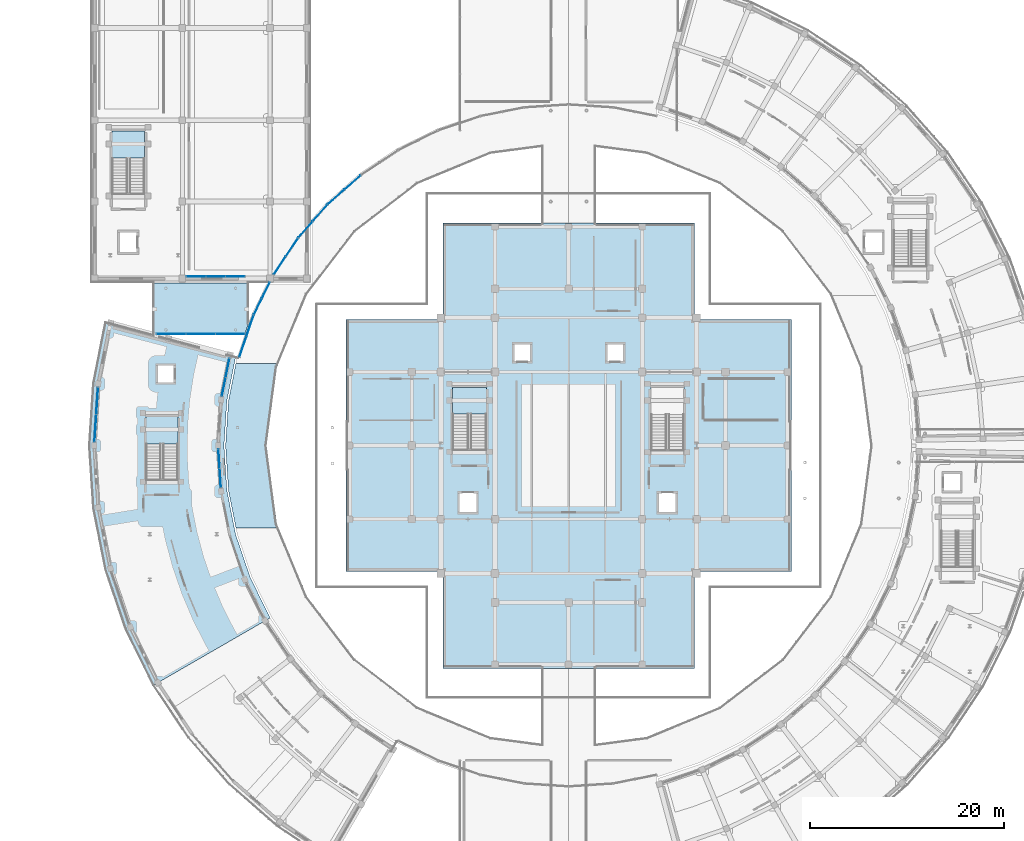
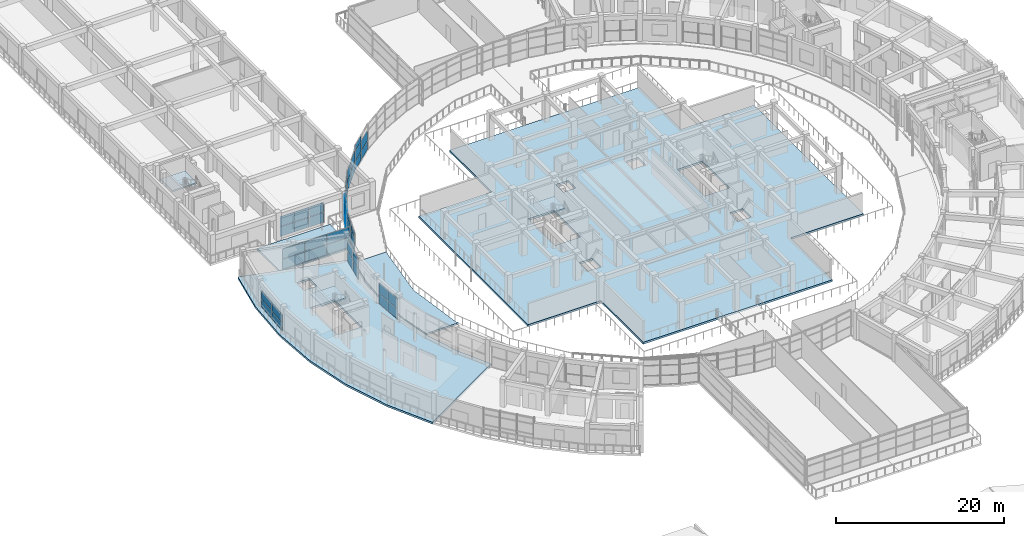
# One storey, part 47 of 83: 49 plates, 7 slabs, 13 elements without a shape of their own.
"""IFC4 building model written with IfcOpenShell, lengths in metres."""

import ifcopenshell
import ifcopenshell.guid

model = None  # the IFC model being written
_history = None  # IfcOwnerHistory: only IFC2X3 demands one
_inside = {}  # id of a spatial element -> (the spatial element, [elements in it])
_under = {}  # id of a project, library or spatial element -> (it, [spatial elements below it])
_declared = {}  # id of a project -> (the project, [libraries it declares])
_typed = {}  # id of a type object -> (the type object, [elements of that type])
_made_of = {}  # id of a material, layer set ... -> (it, [elements and type objects made of it])


def new_model(schema):
    """Start an empty IFC model of exactly this schema.

    Asked for "IFC4X3", IfcOpenShell would pick the latest addendum, in which some entities
    have other attributes; the version numbers below select the first issue.
    IFC2X3 requires an IfcOwnerHistory on every rooted entity: one is made here for all.
    """
    global model, _history
    if schema == "IFC4X3":
        model = ifcopenshell.file(schema_version=(4, 3, 0, 0))
    else:
        model = ifcopenshell.file(schema=schema)
    _inside.clear()
    _under.clear()
    _declared.clear()
    _typed.clear()
    _made_of.clear()
    _history = None
    if model.schema == "IFC2X3":
        org = make("IfcOrganization", Name="unknown")
        user = make(
            "IfcPersonAndOrganization",
            ThePerson=make("IfcPerson", FamilyName="unknown"),
            TheOrganization=org,
        )
        app = make(
            "IfcApplication",
            ApplicationDeveloper=org,
            Version="unknown",
            ApplicationFullName="unknown",
            ApplicationIdentifier="unknown",
        )
        _history = make(
            "IfcOwnerHistory",
            OwningUser=user,
            OwningApplication=app,
            ChangeAction="ADDED",
            CreationDate=0,
        )
    return model


def make(cls, **values):
    """One entity of the class cls with the attributes given. An attribute that is None is left unset."""
    return model.create_entity(
        cls, **{name: value for name, value in values.items() if value is not None}
    )


def rooted(cls, **values):
    """An entity with a GlobalId (a new one), such as an element, a storey or a relation."""
    return make(cls, GlobalId=ifcopenshell.guid.new(), OwnerHistory=_history, **values)


def si_unit(unit_type, name, prefix=None):
    """IfcSIUnit, for example si_unit("LENGTHUNIT", "METRE", prefix="MILLI")."""
    return make("IfcSIUnit", UnitType=unit_type, Prefix=prefix, Name=name)


def assignment(units):
    """IfcUnitAssignment: the units of a project."""
    return None if units is None else make("IfcUnitAssignment", Units=units)


def point(xyz):
    """IfcCartesianPoint."""
    return None if xyz is None else make("IfcCartesianPoint", Coordinates=xyz)


def direction(xyz):
    """IfcDirection."""
    return None if xyz is None else make("IfcDirection", DirectionRatios=xyz)


def frame(location, z_axis=None, x_axis=None):
    """IfcAxis2Placement3D, a coordinate frame: its origin and axes. An axis left out is left unset."""
    return make(
        "IfcAxis2Placement3D",
        Location=point(location),
        Axis=direction(z_axis),
        RefDirection=direction(x_axis),
    )


def frame_2d(location, x_axis=None):
    """IfcAxis2Placement2D, a coordinate frame in the plane: its origin and x axis."""
    return make(
        "IfcAxis2Placement2D", Location=point(location), RefDirection=direction(x_axis)
    )


def origin():
    """The frame at (0, 0, 0) with its axes left unset."""
    return frame((0.0, 0.0, 0.0))


def origin_2d():
    """The frame at (0, 0) in the plane with its x axis left unset."""
    return frame_2d((0.0, 0.0))


def place(relative_to, where):
    """IfcLocalPlacement: puts the frame where relative to a parent placement (None: the world)."""
    return make(
        "IfcLocalPlacement", PlacementRelTo=relative_to, RelativePlacement=where
    )


def context(
    kind, dimensions, precision=None, world=None, true_north=None, identifier=None
):
    """IfcGeometricRepresentationContext, for example the 3D "Model" context."""
    return make(
        "IfcGeometricRepresentationContext",
        ContextIdentifier=identifier,
        ContextType=kind,
        CoordinateSpaceDimension=dimensions,
        Precision=precision,
        WorldCoordinateSystem=world,
        TrueNorth=true_north,
    )


def subcontext(parent, identifier, kind, view, scale=None):
    """IfcGeometricRepresentationSubContext, for example "Body" below "Model"."""
    return make(
        "IfcGeometricRepresentationSubContext",
        ContextIdentifier=identifier,
        ContextType=kind,
        ParentContext=parent,
        TargetScale=scale,
        TargetView=view,
    )


def project(units=None, contexts=None):
    """IfcProject with its units and contexts."""
    return rooted(
        "IfcProject",
        Name="project",
        RepresentationContexts=contexts,
        UnitsInContext=assignment(units),
    )


def spatial(cls, under=None, at=None, **own):
    """A site, building, storey or space (cls), placed at a placement, below another one or the project."""
    s = rooted(cls, ObjectPlacement=at, **own)
    if under is not None:
        _under.setdefault(under.id(), (under, []))[1].append(s)
    return s


def polyline(points):
    """IfcPolyline through the points."""
    return make("IfcPolyline", Points=[point(p) for p in points])


def profile(cls, at=None, kind="AREA", **sizes):
    """A parametric profile (cls). Its sizes go by their IFC names, for example OverallWidth=200.0."""
    return make(cls, ProfileType=kind, Position=at, **sizes)


def rectangle(**sizes):
    """IfcRectangleProfileDef."""
    return profile("IfcRectangleProfileDef", **sizes)


def outline(outer, holes=None, kind="AREA"):
    """IfcArbitraryClosedProfileDef: a profile drawn as a closed curve; with holes, ...WithVoids."""
    if holes is None:
        return make("IfcArbitraryClosedProfileDef", ProfileType=kind, OuterCurve=outer)
    return make(
        "IfcArbitraryProfileDefWithVoids",
        ProfileType=kind,
        OuterCurve=outer,
        InnerCurves=holes,
    )


def extrude(swept, where, along, depth):
    """IfcExtrudedAreaSolid: the profile swept, set in the frame where, extruded along a direction by depth."""
    return make(
        "IfcExtrudedAreaSolid",
        SweptArea=swept,
        Position=where,
        ExtrudedDirection=direction(along),
        Depth=depth,
    )


def shape(context_of_items, identifier, shape_type, items):
    """IfcShapeRepresentation: the items that make up one representation, for example the "Body"."""
    return make(
        "IfcShapeRepresentation",
        ContextOfItems=context_of_items,
        RepresentationIdentifier=identifier,
        RepresentationType=shape_type,
        Items=items,
    )


def material(Name=None, Category=None):
    """IfcMaterial."""
    return make("IfcMaterial", Name=Name, Category=Category)


def layer(
    of_material, thickness, ventilated=None, Name=None, Category=None, Priority=None
):
    """IfcMaterialLayer: one layer of a wall or slab, of a material (None: an air gap)."""
    return make(
        "IfcMaterialLayer",
        Material=of_material,
        LayerThickness=thickness,
        IsVentilated=ventilated,
        Name=Name,
        Category=Category,
        Priority=Priority,
    )


def layer_set(layers, Name=None):
    """IfcMaterialLayerSet."""
    return make("IfcMaterialLayerSet", MaterialLayers=layers, LayerSetName=Name)


def made_of(thing, what):
    """Note that an element or type object is made of a material, layer set ...; save() writes the relation."""
    if what is not None:
        _made_of.setdefault(what.id(), (what, []))[1].append(thing)
    return thing


def type_object(cls, material=None, **own):
    """A type object (cls), such as IfcWallType, which elements share."""
    return made_of(rooted(cls, **own), material)


def element(
    cls,
    number,
    at=None,
    inside=None,
    cuts=None,
    type_object=None,
    material=None,
    context=None,
    identifier="Body",
    shape_type=None,
    held_by="IfcProductDefinitionShape",
    body=None,
    shapes=None,
    **own,
):
    """One element of the class cls, such as IfcWall. Its Tag is "e" and its number.

    at: its placement. inside: the storey or other place that contains it. cuts: it is an
    opening in that element (IfcRelVoidsElement). A single representation is given by context,
    identifier, shape_type and body (its items); several are given by shapes. held_by: the class
    of the entity that holds the representations. save() writes the other relations.
    """
    e = rooted(cls, Tag="e%d" % number, ObjectPlacement=at, **own)
    if body is not None:
        shapes = [shape(context, identifier, shape_type, body)]
    if shapes is not None:
        e.Representation = make(held_by, Representations=shapes)
    if inside is not None:
        _inside.setdefault(inside.id(), (inside, []))[1].append(e)
    if cuts is not None:
        rooted(
            "IfcRelVoidsElement", RelatingBuildingElement=cuts, RelatedOpeningElement=e
        )
    if type_object is not None:
        _typed.setdefault(type_object.id(), (type_object, []))[1].append(e)
    return made_of(e, material)


def aggregate(whole, parts):
    """IfcRelAggregates: a whole, such as a stair, and the parts it consists of."""
    return rooted("IfcRelAggregates", RelatingObject=whole, RelatedObjects=parts)


def save(model, path):
    """Write the relations noted so far, then the file.

    IfcRelAggregates (storeys below a building ...), IfcRelContainedInSpatialStructure (elements
    in a storey), IfcRelDefinesByType, IfcRelAssociatesMaterial and IfcRelDeclares: one each for
    every whole, place, type object, material and project.
    """
    for whole, parts in _under.values():
        aggregate(whole, parts)
    for where, things in _inside.values():
        rooted(
            "IfcRelContainedInSpatialStructure",
            RelatedElements=things,
            RelatingStructure=where,
        )
    for kind, things in _typed.values():
        rooted("IfcRelDefinesByType", RelatedObjects=things, RelatingType=kind)
    for what, things in _made_of.values():
        rooted("IfcRelAssociatesMaterial", RelatedObjects=things, RelatingMaterial=what)
    for by, libraries in _declared.values():
        rooted("IfcRelDeclares", RelatingContext=by, RelatedDefinitions=libraries)
    model.write(path)


model = new_model("IFC4")

# Units and contexts
model_context = context("Model", 3, precision=1e-05, world=origin(), true_north=direction((0.0, 1.0)))
body_context = subcontext(model_context, "Body", "Model", "MODEL_VIEW")
ifc_project = project(units=[si_unit("LENGTHUNIT", "METRE"), si_unit("AREAUNIT", "SQUARE_METRE"), si_unit("VOLUMEUNIT", "CUBIC_METRE"), si_unit("PLANEANGLEUNIT", "RADIAN"), si_unit("MASSUNIT", "GRAM", prefix="KILO")], contexts=[model_context])

# Site, building, storey
site_placement = place(None, origin())
site = spatial("IfcSite", under=ifc_project, at=site_placement, CompositionType="ELEMENT")
building_placement = place(site_placement, origin())
building = spatial("IfcBuilding", under=site, at=building_placement, Name="Saryqyr Civic Hall", CompositionType="ELEMENT")
storey_placement = place(building_placement, frame((0.0, 0.0, 9.14990234375)))
storey = spatial("IfcBuildingStorey", under=building, at=storey_placement, Name="L02", CompositionType="ELEMENT", Elevation=9.14990234375)

# Curtain wall, plates
ifc_material_1 = material(Name="Anodised aluminium and triple low-E glass", Category="aluminium")
curtain_wall_type_1 = type_object("IfcCurtainWallType", Name="ENV-CW-STD-21", PredefinedType="NOTDEFINED", material=ifc_material_1)
curtain_wall_1_placement = place(storey_placement, origin())
curtain_wall_1 = element("IfcCurtainWall", 1, at=curtain_wall_1_placement, inside=storey, type_object=curtain_wall_type_1, Name="Curtain wall V4-CWI-L02-00", PredefinedType="NOTDEFINED")
ifc_material_2 = material(Name="Triple low-E insulated glazing", Category="glass")
ifc_layer_1 = layer(ifc_material_2, 0.053955078125, Name="Triple low-E insulated glazing")
ifc_layer_set_1 = layer_set([ifc_layer_1], Name="Triple low-E insulated glazing")
plate_type = type_object("IfcPlateType", Name="ENV-CW-PNL-38", PredefinedType="CURTAIN_PANEL", material=ifc_layer_set_1)
plate_1_placement = place(storey_placement, frame((21.765869140625, 92.0234375, 0.06005859375), z_axis=(0.0, 0.0, 1.0), x_axis=(-0.195107360697, -0.980781891045, 0.0)))
plate_1 = element("IfcPlate", 2, at=plate_1_placement, type_object=plate_type, Name="CW-21 panel 1.1", PredefinedType="CURTAIN_PANEL", context=body_context, shape_type="SweptSolid", body=[
    extrude(rectangle(XDim=1.930908203125, YDim=0.053955078125, at=origin_2d()), origin(), (0.0, 0.0, 1.0), 1.491943359375),
])
plate_2_placement = place(storey_placement, frame((21.765869140625, 92.0234375, 1.6123046875), z_axis=(0.0, 0.0, 1.0), x_axis=(-0.195107360697, -0.980781891045, 0.0)))
plate_2 = element("IfcPlate", 3, at=plate_2_placement, type_object=plate_type, Name="CW-21 panel 1.2", PredefinedType="CURTAIN_PANEL", context=body_context, shape_type="SweptSolid", body=[
    extrude(rectangle(XDim=1.930908203125, YDim=0.053955078125, at=origin_2d()), origin(), (0.0, 0.0, 1.0), 1.492919921875),
])
plate_3_placement = place(storey_placement, frame((21.37744140625, 90.07080078125, 0.06005859375), z_axis=(0.0, 0.0, 1.0), x_axis=(-0.195107360697, -0.980781891045, 0.0)))
plate_3 = element("IfcPlate", 4, at=plate_3_placement, type_object=plate_type, Name="CW-21 panel 2.1", PredefinedType="CURTAIN_PANEL", context=body_context, shape_type="SweptSolid", body=[
    extrude(rectangle(XDim=1.930908203125, YDim=0.053955078125, at=origin_2d()), origin(), (0.0, 0.0, 1.0), 1.491943359375),
])
plate_4_placement = place(storey_placement, frame((21.37744140625, 90.07080078125, 1.6123046875), z_axis=(0.0, 0.0, 1.0), x_axis=(-0.195107360697, -0.980781891045, 0.0)))
plate_4 = element("IfcPlate", 5, at=plate_4_placement, type_object=plate_type, Name="CW-21 panel 2.2", PredefinedType="CURTAIN_PANEL", context=body_context, shape_type="SweptSolid", body=[
    extrude(rectangle(XDim=1.930908203125, YDim=0.053955078125, at=origin_2d()), origin(), (0.0, 0.0, 1.0), 1.492919921875),
])
aggregate(curtain_wall_1, [plate_1, plate_2, plate_3, plate_4])

curtain_wall_type_2 = type_object("IfcCurtainWallType", Name="ENV-CW-STD-22", PredefinedType="NOTDEFINED", material=ifc_material_1)
curtain_wall_2_placement = place(storey_placement, origin())
curtain_wall_2 = element("IfcCurtainWall", 6, at=curtain_wall_2_placement, inside=storey, type_object=curtain_wall_type_2, Name="Curtain wall V4-CWO-L02-01", PredefinedType="NOTDEFINED")
plate_5_placement = place(storey_placement, frame((8.116943359375, 85.783935546875, 0.06005859375), z_axis=(0.0, 0.0, 1.0), x_axis=(0.06539733631, 0.99785930291, 0.0)))
plate_5 = element("IfcPlate", 7, at=plate_5_placement, type_object=plate_type, Name="CW-22 panel 1.1", PredefinedType="CURTAIN_PANEL", context=body_context, shape_type="SweptSolid", body=[
    extrude(rectangle(XDim=2.77392578125, YDim=0.053955078125, at=origin_2d()), origin(), (0.0, 0.0, 1.0), 1.135009765625),
])
plate_6_placement = place(storey_placement, frame((8.116943359375, 85.783935546875, 1.2548828125), z_axis=(0.0, 0.0, 1.0), x_axis=(0.06539733631, 0.99785930291, 0.0)))
plate_6 = element("IfcPlate", 8, at=plate_6_placement, type_object=plate_type, Name="CW-22 panel 1.2", PredefinedType="CURTAIN_PANEL", context=body_context, shape_type="SweptSolid", body=[
    extrude(rectangle(XDim=2.77392578125, YDim=0.053955078125, at=origin_2d()), origin(), (0.0, 0.0, 1.0), 1.135009765625),
])
plate_7_placement = place(storey_placement, frame((8.30224609375, 88.61181640625, 0.06005859375), z_axis=(0.0, 0.0, 1.0), x_axis=(0.06539733631, 0.99785930291, 0.0)))
plate_7 = element("IfcPlate", 9, at=plate_7_placement, type_object=plate_type, Name="CW-22 panel 2.1", PredefinedType="CURTAIN_PANEL", context=body_context, shape_type="SweptSolid", body=[
    extrude(rectangle(XDim=2.77392578125, YDim=0.053955078125, at=origin_2d()), origin(), (0.0, 0.0, 1.0), 1.135009765625),
])
plate_8_placement = place(storey_placement, frame((8.30224609375, 88.61181640625, 1.2548828125), z_axis=(0.0, 0.0, 1.0), x_axis=(0.06539733631, 0.99785930291, 0.0)))
plate_8 = element("IfcPlate", 10, at=plate_8_placement, type_object=plate_type, Name="CW-22 panel 2.2", PredefinedType="CURTAIN_PANEL", context=body_context, shape_type="SweptSolid", body=[
    extrude(rectangle(XDim=2.77392578125, YDim=0.053955078125, at=origin_2d()), origin(), (0.0, 0.0, 1.0), 1.135009765625),
])
aggregate(curtain_wall_2, [plate_5, plate_6, plate_7, plate_8])

curtain_wall_3_placement = place(storey_placement, origin())
curtain_wall_3 = element("IfcCurtainWall", 11, at=curtain_wall_3_placement, inside=storey, type_object=curtain_wall_type_1, Name="Curtain wall V4-CWI-L02-02", PredefinedType="NOTDEFINED")
plate_9_placement = place(storey_placement, frame((20.8896484375, 82.6337890625, 0.06005859375), z_axis=(0.0, 0.0, 1.0), x_axis=(0.065397404214, -0.997859298459, 0.0)))
plate_9 = element("IfcPlate", 12, at=plate_9_placement, type_object=plate_type, Name="CW-21 panel 1.1", PredefinedType="CURTAIN_PANEL", context=body_context, shape_type="SweptSolid", body=[
    extrude(rectangle(XDim=1.936767578125, YDim=0.053955078125, at=origin_2d()), origin(), (0.0, 0.0, 1.0), 1.491943359375),
])
plate_10_placement = place(storey_placement, frame((20.8896484375, 82.6337890625, 1.6123046875), z_axis=(0.0, 0.0, 1.0), x_axis=(0.065397404214, -0.997859298459, 0.0)))
plate_10 = element("IfcPlate", 13, at=plate_10_placement, type_object=plate_type, Name="CW-21 panel 1.2", PredefinedType="CURTAIN_PANEL", context=body_context, shape_type="SweptSolid", body=[
    extrude(rectangle(XDim=1.936767578125, YDim=0.053955078125, at=origin_2d()), origin(), (0.0, 0.0, 1.0), 1.492919921875),
])
plate_11_placement = place(storey_placement, frame((21.020263671875, 80.64111328125, 0.06005859375), z_axis=(0.0, 0.0, 1.0), x_axis=(0.065397404214, -0.997859298459, 0.0)))
plate_11 = element("IfcPlate", 14, at=plate_11_placement, type_object=plate_type, Name="CW-21 panel 2.1", PredefinedType="CURTAIN_PANEL", context=body_context, shape_type="SweptSolid", body=[
    extrude(rectangle(XDim=1.936767578125, YDim=0.053955078125, at=origin_2d()), origin(), (0.0, 0.0, 1.0), 1.491943359375),
])
plate_12_placement = place(storey_placement, frame((21.020263671875, 80.64111328125, 1.6123046875), z_axis=(0.0, 0.0, 1.0), x_axis=(0.065397404214, -0.997859298459, 0.0)))
plate_12 = element("IfcPlate", 15, at=plate_12_placement, type_object=plate_type, Name="CW-21 panel 2.2", PredefinedType="CURTAIN_PANEL", context=body_context, shape_type="SweptSolid", body=[
    extrude(rectangle(XDim=1.936767578125, YDim=0.053955078125, at=origin_2d()), origin(), (0.0, 0.0, 1.0), 1.492919921875),
])
aggregate(curtain_wall_3, [plate_9, plate_10, plate_11, plate_12])

curtain_wall_type_3 = type_object("IfcCurtainWallType", Name="ENV-CW-STD-74", PredefinedType="NOTDEFINED", material=ifc_material_1)
curtain_wall_4_placement = place(storey_placement, origin())
curtain_wall_4 = element("IfcCurtainWall", 16, at=curtain_wall_4_placement, inside=storey, type_object=curtain_wall_type_3, Name="Curtain wall V2-PERIM-CW-L02-17", PredefinedType="NOTDEFINED")
plate_13_placement = place(storey_placement, frame((32.972900390625, 109.673583984375, 0.06005859375), z_axis=(0.0, 0.0, 1.0), x_axis=(0.751838018573, 0.659347854951, 0.0)))
plate_13 = element("IfcPlate", 17, at=plate_13_placement, type_object=plate_type, Name="CW-74 panel 1.1", PredefinedType="CURTAIN_PANEL", context=body_context, shape_type="SweptSolid", body=[
    extrude(rectangle(XDim=2.21337890625, YDim=0.053955078125, at=origin_2d()), origin(), (0.0, 0.0, 1.0), 1.241943359375),
])
plate_14_placement = place(storey_placement, frame((32.972900390625, 109.673583984375, 1.362060546875), z_axis=(0.0, 0.0, 1.0), x_axis=(0.751838018573, 0.659347854951, 0.0)))
plate_14 = element("IfcPlate", 18, at=plate_14_placement, type_object=plate_type, Name="CW-74 panel 1.2", PredefinedType="CURTAIN_PANEL", context=body_context, shape_type="SweptSolid", body=[
    extrude(rectangle(XDim=2.21337890625, YDim=0.053955078125, at=origin_2d()), origin(), (0.0, 0.0, 1.0), 1.419921875),
])
plate_15_placement = place(storey_placement, frame((32.972900390625, 109.673583984375, 2.84228515625), z_axis=(0.0, 0.0, 1.0), x_axis=(0.751838018573, 0.659347854951, 0.0)))
plate_15 = element("IfcPlate", 19, at=plate_15_placement, type_object=plate_type, Name="CW-74 panel 1.3", PredefinedType="CURTAIN_PANEL", context=body_context, shape_type="SweptSolid", body=[
    extrude(rectangle(XDim=2.21337890625, YDim=0.053955078125, at=origin_2d()), origin(), (0.0, 0.0, 1.0), 0.798095703125),
])
plate_16_placement = place(storey_placement, frame((34.68212890625, 111.172607421875, 0.06005859375), z_axis=(0.0, 0.0, 1.0), x_axis=(0.751838018573, 0.659347854951, 0.0)))
plate_16 = element("IfcPlate", 20, at=plate_16_placement, type_object=plate_type, Name="CW-74 panel 2.1", PredefinedType="CURTAIN_PANEL", context=body_context, shape_type="SweptSolid", body=[
    extrude(rectangle(XDim=2.21337890625, YDim=0.053955078125, at=origin_2d()), origin(), (0.0, 0.0, 1.0), 1.241943359375),
])
plate_17_placement = place(storey_placement, frame((34.68212890625, 111.172607421875, 1.362060546875), z_axis=(0.0, 0.0, 1.0), x_axis=(0.751838018573, 0.659347854951, 0.0)))
plate_17 = element("IfcPlate", 21, at=plate_17_placement, type_object=plate_type, Name="CW-74 panel 2.2", PredefinedType="CURTAIN_PANEL", context=body_context, shape_type="SweptSolid", body=[
    extrude(rectangle(XDim=2.21337890625, YDim=0.053955078125, at=origin_2d()), origin(), (0.0, 0.0, 1.0), 1.419921875),
])
aggregate(curtain_wall_4, [plate_13, plate_14, plate_15, plate_16, plate_17])

curtain_wall_type_4 = type_object("IfcCurtainWallType", Name="ENV-CW-STD-30", PredefinedType="NOTDEFINED", material=ifc_material_1)
curtain_wall_5_placement = place(storey_placement, origin())
curtain_wall_5 = element("IfcCurtainWall", 22, at=curtain_wall_5_placement, inside=storey, type_object=curtain_wall_type_4, Name="Curtain wall V2-PERIM-CW-L02-18", PredefinedType="NOTDEFINED")
plate_18_placement = place(storey_placement, frame((29.827392578125, 106.31787109375, 0.06005859375), z_axis=(0.0, 0.0, 1.0), x_axis=(0.659347854951, 0.751838018573, 0.0)))
plate_18 = element("IfcPlate", 23, at=plate_18_placement, type_object=plate_type, Name="CW-30 panel 1.1", PredefinedType="CURTAIN_PANEL", context=body_context, shape_type="SweptSolid", body=[
    extrude(rectangle(XDim=2.21337890625, YDim=0.053955078125, at=origin_2d()), origin(), (0.0, 0.0, 1.0), 1.488037109375),
])
plate_19_placement = place(storey_placement, frame((29.827392578125, 106.31787109375, 1.60791015625), z_axis=(0.0, 0.0, 1.0), x_axis=(0.659347854951, 0.751838018573, 0.0)))
plate_19 = element("IfcPlate", 24, at=plate_19_placement, type_object=plate_type, Name="CW-30 panel 1.2", PredefinedType="CURTAIN_PANEL", context=body_context, shape_type="SweptSolid", body=[
    extrude(rectangle(XDim=2.21337890625, YDim=0.053955078125, at=origin_2d()), origin(), (0.0, 0.0, 1.0), 1.487060546875),
])
plate_20_placement = place(storey_placement, frame((31.326416015625, 108.027099609375, 0.06005859375), z_axis=(0.0, 0.0, 1.0), x_axis=(0.659347854951, 0.751838018573, 0.0)))
plate_20 = element("IfcPlate", 25, at=plate_20_placement, type_object=plate_type, Name="CW-30 panel 2.1", PredefinedType="CURTAIN_PANEL", context=body_context, shape_type="SweptSolid", body=[
    extrude(rectangle(XDim=2.21337890625, YDim=0.053955078125, at=origin_2d()), origin(), (0.0, 0.0, 1.0), 1.488037109375),
])
plate_21_placement = place(storey_placement, frame((31.326416015625, 108.027099609375, 1.60791015625), z_axis=(0.0, 0.0, 1.0), x_axis=(0.659347854951, 0.751838018573, 0.0)))
plate_21 = element("IfcPlate", 26, at=plate_21_placement, type_object=plate_type, Name="CW-30 panel 2.2", PredefinedType="CURTAIN_PANEL", context=body_context, shape_type="SweptSolid", body=[
    extrude(rectangle(XDim=2.21337890625, YDim=0.053955078125, at=origin_2d()), origin(), (0.0, 0.0, 1.0), 1.487060546875),
])
aggregate(curtain_wall_5, [plate_18, plate_19, plate_20, plate_21])

curtain_wall_type_5 = type_object("IfcCurtainWallType", Name="ENV-CW-STD-80", PredefinedType="NOTDEFINED", material=ifc_material_1)
curtain_wall_6_placement = place(storey_placement, origin())
curtain_wall_6 = element("IfcCurtainWall", 27, at=curtain_wall_6_placement, inside=storey, type_object=curtain_wall_type_5, Name="Curtain wall V2-PERIM-CW-L02-19", PredefinedType="NOTDEFINED")
plate_22_placement = place(storey_placement, frame((27.161865234375, 102.6025390625, 0.06005859375), z_axis=(0.0, 0.0, 1.0), x_axis=(0.555573298593, 0.831467563944, 0.0)))
plate_22 = element("IfcPlate", 28, at=plate_22_placement, type_object=plate_type, Name="CW-80 panel 1.1", PredefinedType="CURTAIN_PANEL", context=body_context, shape_type="SweptSolid", body=[
    extrude(rectangle(XDim=2.195556640625, YDim=0.053955078125, at=origin_2d()), origin(), (0.0, 0.0, 1.0), 1.412109375),
])
plate_23_placement = place(storey_placement, frame((27.161865234375, 102.6025390625, 1.531982421875), z_axis=(0.0, 0.0, 1.0), x_axis=(0.555573298593, 0.831467563944, 0.0)))
plate_23 = element("IfcPlate", 29, at=plate_23_placement, type_object=plate_type, Name="CW-80 panel 1.2", PredefinedType="CURTAIN_PANEL", context=body_context, shape_type="SweptSolid", body=[
    extrude(rectangle(XDim=2.195556640625, YDim=0.053955078125, at=origin_2d()), origin(), (0.0, 0.0, 1.0), 1.4130859375),
])
plate_24_placement = place(storey_placement, frame((28.414794921875, 104.47802734375, 0.06005859375), z_axis=(0.0, 0.0, 1.0), x_axis=(0.555573298593, 0.831467563944, 0.0)))
plate_24 = element("IfcPlate", 30, at=plate_24_placement, type_object=plate_type, Name="CW-80 panel 2.1", PredefinedType="CURTAIN_PANEL", context=body_context, shape_type="SweptSolid", body=[
    extrude(rectangle(XDim=2.195556640625, YDim=0.053955078125, at=origin_2d()), origin(), (0.0, 0.0, 1.0), 1.412109375),
])
plate_25_placement = place(storey_placement, frame((28.414794921875, 104.47802734375, 1.531982421875), z_axis=(0.0, 0.0, 1.0), x_axis=(0.555573298593, 0.831467563944, 0.0)))
plate_25 = element("IfcPlate", 31, at=plate_25_placement, type_object=plate_type, Name="CW-80 panel 2.2", PredefinedType="CURTAIN_PANEL", context=body_context, shape_type="SweptSolid", body=[
    extrude(rectangle(XDim=2.195556640625, YDim=0.053955078125, at=origin_2d()), origin(), (0.0, 0.0, 1.0), 1.4130859375),
])
aggregate(curtain_wall_6, [plate_22, plate_23, plate_24, plate_25])

curtain_wall_type_6 = type_object("IfcCurtainWallType", Name="ENV-CW-STD-44", PredefinedType="NOTDEFINED", material=ifc_material_1)
curtain_wall_7_placement = place(storey_placement, origin())
curtain_wall_7 = element("IfcCurtainWall", 32, at=curtain_wall_7_placement, inside=storey, type_object=curtain_wall_type_6, Name="Curtain wall V2-PERIM-CW-L02-20", PredefinedType="NOTDEFINED")
plate_26_placement = place(storey_placement, frame((24.884521484375, 98.3369140625, 0.06005859375), z_axis=(0.0, 0.0, 1.0), x_axis=(0.442274074143, 0.896879949236, 0.0)))
plate_26 = element("IfcPlate", 33, at=plate_26_placement, type_object=plate_type, Name="CW-44 panel 1.1", PredefinedType="CURTAIN_PANEL", context=body_context, shape_type="SweptSolid", body=[
    extrude(rectangle(XDim=1.79541015625, YDim=0.053955078125, at=origin_2d()), origin(), (0.0, 0.0, 1.0), 1.241943359375),
])
plate_27_placement = place(storey_placement, frame((24.884521484375, 98.3369140625, 1.362060546875), z_axis=(0.0, 0.0, 1.0), x_axis=(0.442274074143, 0.896879949236, 0.0)))
plate_27 = element("IfcPlate", 34, at=plate_27_placement, type_object=plate_type, Name="CW-44 panel 1.2", PredefinedType="CURTAIN_PANEL", context=body_context, shape_type="SweptSolid", body=[
    extrude(rectangle(XDim=1.79541015625, YDim=0.053955078125, at=origin_2d()), origin(), (0.0, 0.0, 1.0), 1.419921875),
])
plate_28_placement = place(storey_placement, frame((24.884521484375, 98.3369140625, 2.84228515625), z_axis=(0.0, 0.0, 1.0), x_axis=(0.442274074143, 0.896879949236, 0.0)))
plate_28 = element("IfcPlate", 35, at=plate_28_placement, type_object=plate_type, Name="CW-44 panel 1.3", PredefinedType="CURTAIN_PANEL", context=body_context, shape_type="SweptSolid", body=[
    extrude(rectangle(XDim=1.79541015625, YDim=0.053955078125, at=origin_2d()), origin(), (0.0, 0.0, 1.0), 0.798095703125),
])
plate_29_placement = place(storey_placement, frame((25.705078125, 100.0009765625, 0.06005859375), z_axis=(0.0, 0.0, 1.0), x_axis=(0.442274074143, 0.896879949236, 0.0)))
plate_29 = element("IfcPlate", 36, at=plate_29_placement, type_object=plate_type, Name="CW-44 panel 2.1", PredefinedType="CURTAIN_PANEL", context=body_context, shape_type="SweptSolid", body=[
    extrude(rectangle(XDim=1.79541015625, YDim=0.053955078125, at=origin_2d()), origin(), (0.0, 0.0, 1.0), 1.241943359375),
])
plate_30_placement = place(storey_placement, frame((25.705078125, 100.0009765625, 1.362060546875), z_axis=(0.0, 0.0, 1.0), x_axis=(0.442274074143, 0.896879949236, 0.0)))
plate_30 = element("IfcPlate", 37, at=plate_30_placement, type_object=plate_type, Name="CW-44 panel 2.2", PredefinedType="CURTAIN_PANEL", context=body_context, shape_type="SweptSolid", body=[
    extrude(rectangle(XDim=1.79541015625, YDim=0.053955078125, at=origin_2d()), origin(), (0.0, 0.0, 1.0), 1.419921875),
])
plate_31_placement = place(storey_placement, frame((25.705078125, 100.0009765625, 2.84228515625), z_axis=(0.0, 0.0, 1.0), x_axis=(0.442274074143, 0.896879949236, 0.0)))
plate_31 = element("IfcPlate", 38, at=plate_31_placement, type_object=plate_type, Name="CW-44 panel 2.3", PredefinedType="CURTAIN_PANEL", context=body_context, shape_type="SweptSolid", body=[
    extrude(rectangle(XDim=1.79541015625, YDim=0.053955078125, at=origin_2d()), origin(), (0.0, 0.0, 1.0), 0.798095703125),
])
aggregate(curtain_wall_7, [plate_26, plate_27, plate_28, plate_29, plate_30, plate_31])

curtain_wall_8_placement = place(storey_placement, origin())
curtain_wall_8 = element("IfcCurtainWall", 39, at=curtain_wall_8_placement, inside=storey, type_object=curtain_wall_type_3, Name="Curtain wall V2-PERIM-CW-L02-21", PredefinedType="NOTDEFINED")
plate_32_placement = place(storey_placement, frame((23.355224609375, 94.220458984375, 0.06005859375), z_axis=(0.0, 0.0, 1.0), x_axis=(0.321445459178, 0.946928094828, 0.0)))
plate_32 = element("IfcPlate", 40, at=plate_32_placement, type_object=plate_type, Name="CW-74 panel 1.1", PredefinedType="CURTAIN_PANEL", context=body_context, shape_type="SweptSolid", body=[
    extrude(rectangle(XDim=2.213623046875, YDim=0.053955078125, at=origin_2d()), origin(), (0.0, 0.0, 1.0), 1.241943359375),
])
plate_33_placement = place(storey_placement, frame((23.355224609375, 94.220458984375, 1.362060546875), z_axis=(0.0, 0.0, 1.0), x_axis=(0.321445459178, 0.946928094828, 0.0)))
plate_33 = element("IfcPlate", 41, at=plate_33_placement, type_object=plate_type, Name="CW-74 panel 1.2", PredefinedType="CURTAIN_PANEL", context=body_context, shape_type="SweptSolid", body=[
    extrude(rectangle(XDim=2.213623046875, YDim=0.053955078125, at=origin_2d()), origin(), (0.0, 0.0, 1.0), 1.419921875),
])
plate_34_placement = place(storey_placement, frame((23.355224609375, 94.220458984375, 2.84228515625), z_axis=(0.0, 0.0, 1.0), x_axis=(0.321445459178, 0.946928094828, 0.0)))
plate_34 = element("IfcPlate", 42, at=plate_34_placement, type_object=plate_type, Name="CW-74 panel 1.3", PredefinedType="CURTAIN_PANEL", context=body_context, shape_type="SweptSolid", body=[
    extrude(rectangle(XDim=2.213623046875, YDim=0.053955078125, at=origin_2d()), origin(), (0.0, 0.0, 1.0), 0.798095703125),
])
plate_35_placement = place(storey_placement, frame((24.0859375, 96.373291015625, 0.06005859375), z_axis=(0.0, 0.0, 1.0), x_axis=(0.321445459178, 0.946928094828, 0.0)))
plate_35 = element("IfcPlate", 43, at=plate_35_placement, type_object=plate_type, Name="CW-74 panel 2.1", PredefinedType="CURTAIN_PANEL", context=body_context, shape_type="SweptSolid", body=[
    extrude(rectangle(XDim=2.213623046875, YDim=0.053955078125, at=origin_2d()), origin(), (0.0, 0.0, 1.0), 1.241943359375),
])
plate_36_placement = place(storey_placement, frame((24.0859375, 96.373291015625, 1.362060546875), z_axis=(0.0, 0.0, 1.0), x_axis=(0.321445459178, 0.946928094828, 0.0)))
plate_36 = element("IfcPlate", 44, at=plate_36_placement, type_object=plate_type, Name="CW-74 panel 2.2", PredefinedType="CURTAIN_PANEL", context=body_context, shape_type="SweptSolid", body=[
    extrude(rectangle(XDim=2.213623046875, YDim=0.053955078125, at=origin_2d()), origin(), (0.0, 0.0, 1.0), 1.419921875),
])
plate_37_placement = place(storey_placement, frame((24.0859375, 96.373291015625, 2.84228515625), z_axis=(0.0, 0.0, 1.0), x_axis=(0.321445459178, 0.946928094828, 0.0)))
plate_37 = element("IfcPlate", 45, at=plate_37_placement, type_object=plate_type, Name="CW-74 panel 2.3", PredefinedType="CURTAIN_PANEL", context=body_context, shape_type="SweptSolid", body=[
    extrude(rectangle(XDim=2.213623046875, YDim=0.053955078125, at=origin_2d()), origin(), (0.0, 0.0, 1.0), 0.798095703125),
])
aggregate(curtain_wall_8, [plate_32, plate_33, plate_34, plate_35, plate_36, plate_37])

curtain_wall_type_7 = type_object("IfcCurtainWallType", Name="ENV-CW-STD-84", PredefinedType="NOTDEFINED", material=ifc_material_1)
curtain_wall_9_placement = place(storey_placement, origin())
curtain_wall_9 = element("IfcCurtainWall", 46, at=curtain_wall_9_placement, inside=storey, type_object=curtain_wall_type_7, Name="Curtain wall BR-NW-CW1-L02", PredefinedType="NOTDEFINED")
plate_38_placement = place(storey_placement, frame((22.0517578125, 95.52001953125, 0.06005859375), z_axis=(0.0, 0.0, 1.0), x_axis=(-1.0, 0.0, 0.0)))
plate_38 = element("IfcPlate", 47, at=plate_38_placement, type_object=plate_type, Name="CW-84 panel 1.1", PredefinedType="CURTAIN_PANEL", context=body_context, shape_type="SweptSolid", body=[
    extrude(rectangle(XDim=2.9765625, YDim=0.053955078125, at=origin_2d()), origin(), (0.0, 0.0, 1.0), 1.41796875),
])
plate_39_placement = place(storey_placement, frame((22.0517578125, 95.52001953125, 1.5380859375), z_axis=(0.0, 0.0, 1.0), x_axis=(-1.0, 0.0, 0.0)))
plate_39 = element("IfcPlate", 48, at=plate_39_placement, type_object=plate_type, Name="CW-84 panel 1.2", PredefinedType="CURTAIN_PANEL", context=body_context, shape_type="SweptSolid", body=[
    extrude(rectangle(XDim=2.9765625, YDim=0.053955078125, at=origin_2d()), origin(), (0.0, 0.0, 1.0), 1.4169921875),
])
plate_40_placement = place(storey_placement, frame((19.0, 95.52001953125, 0.06005859375), z_axis=(0.0, 0.0, 1.0), x_axis=(-1.0, 0.0, 0.0)))
plate_40 = element("IfcPlate", 49, at=plate_40_placement, type_object=plate_type, Name="CW-84 panel 2.1", PredefinedType="CURTAIN_PANEL", context=body_context, shape_type="SweptSolid", body=[
    extrude(rectangle(XDim=3.006591796875, YDim=0.053955078125, at=origin_2d()), origin(), (0.0, 0.0, 1.0), 1.41796875),
])
plate_41_placement = place(storey_placement, frame((19.0, 95.52001953125, 1.5380859375), z_axis=(0.0, 0.0, 1.0), x_axis=(-1.0, 0.0, 0.0)))
plate_41 = element("IfcPlate", 50, at=plate_41_placement, type_object=plate_type, Name="CW-84 panel 2.2", PredefinedType="CURTAIN_PANEL", context=body_context, shape_type="SweptSolid", body=[
    extrude(rectangle(XDim=3.006591796875, YDim=0.053955078125, at=origin_2d()), origin(), (0.0, 0.0, 1.0), 1.4169921875),
])
plate_42_placement = place(storey_placement, frame((15.9482421875, 95.52001953125, 0.06005859375), z_axis=(0.0, 0.0, 1.0), x_axis=(-1.0, 0.0, 0.0)))
plate_42 = element("IfcPlate", 51, at=plate_42_placement, type_object=plate_type, Name="CW-84 panel 3.1", PredefinedType="CURTAIN_PANEL", context=body_context, shape_type="SweptSolid", body=[
    extrude(rectangle(XDim=2.9765625, YDim=0.053955078125, at=origin_2d()), origin(), (0.0, 0.0, 1.0), 1.41796875),
])
plate_43_placement = place(storey_placement, frame((15.9482421875, 95.52001953125, 1.5380859375), z_axis=(0.0, 0.0, 1.0), x_axis=(-1.0, 0.0, 0.0)))
plate_43 = element("IfcPlate", 52, at=plate_43_placement, type_object=plate_type, Name="CW-84 panel 3.2", PredefinedType="CURTAIN_PANEL", context=body_context, shape_type="SweptSolid", body=[
    extrude(rectangle(XDim=2.9765625, YDim=0.053955078125, at=origin_2d()), origin(), (0.0, 0.0, 1.0), 1.4169921875),
])
aggregate(curtain_wall_9, [plate_38, plate_39, plate_40, plate_41, plate_42, plate_43])

curtain_wall_type_8 = type_object("IfcCurtainWallType", Name="ENV-CW-STD-85", PredefinedType="NOTDEFINED", material=ifc_material_1)
curtain_wall_10_placement = place(storey_placement, origin())
curtain_wall_10 = element("IfcCurtainWall", 53, at=curtain_wall_10_placement, inside=storey, type_object=curtain_wall_type_8, Name="Curtain wall BR-NW-CW2-L02", PredefinedType="NOTDEFINED")
plate_44_placement = place(storey_placement, frame((18.5234375, 101.47998046875, 0.06005859375), z_axis=(0.0, 0.0, 1.0), x_axis=(1.0, 0.0, 0.0)))
plate_44 = element("IfcPlate", 54, at=plate_44_placement, type_object=plate_type, Name="CW-85 panel 1.1", PredefinedType="CURTAIN_PANEL", context=body_context, shape_type="SweptSolid", body=[
    extrude(rectangle(XDim=1.94677734375, YDim=0.053955078125, at=origin_2d()), origin(), (0.0, 0.0, 1.0), 1.41796875),
])
plate_45_placement = place(storey_placement, frame((18.5234375, 101.47998046875, 1.5380859375), z_axis=(0.0, 0.0, 1.0), x_axis=(1.0, 0.0, 0.0)))
plate_45 = element("IfcPlate", 55, at=plate_45_placement, type_object=plate_type, Name="CW-85 panel 1.2", PredefinedType="CURTAIN_PANEL", context=body_context, shape_type="SweptSolid", body=[
    extrude(rectangle(XDim=1.94677734375, YDim=0.053955078125, at=origin_2d()), origin(), (0.0, 0.0, 1.0), 1.4169921875),
])
plate_46_placement = place(storey_placement, frame((20.544921875, 101.47998046875, 0.06005859375), z_axis=(0.0, 0.0, 1.0), x_axis=(1.0, 0.0, 0.0)))
plate_46 = element("IfcPlate", 56, at=plate_46_placement, type_object=plate_type, Name="CW-85 panel 2.1", PredefinedType="CURTAIN_PANEL", context=body_context, shape_type="SweptSolid", body=[
    extrude(rectangle(XDim=1.9765625, YDim=0.053955078125, at=origin_2d()), origin(), (0.0, 0.0, 1.0), 1.41796875),
])
plate_47_placement = place(storey_placement, frame((20.544921875, 101.47998046875, 1.5380859375), z_axis=(0.0, 0.0, 1.0), x_axis=(1.0, 0.0, 0.0)))
plate_47 = element("IfcPlate", 57, at=plate_47_placement, type_object=plate_type, Name="CW-85 panel 2.2", PredefinedType="CURTAIN_PANEL", context=body_context, shape_type="SweptSolid", body=[
    extrude(rectangle(XDim=1.9765625, YDim=0.053955078125, at=origin_2d()), origin(), (0.0, 0.0, 1.0), 1.4169921875),
])
plate_48_placement = place(storey_placement, frame((22.566650390625, 101.47998046875, 0.06005859375), z_axis=(0.0, 0.0, 1.0), x_axis=(1.0, 0.0, 0.0)))
plate_48 = element("IfcPlate", 58, at=plate_48_placement, type_object=plate_type, Name="CW-85 panel 3.1", PredefinedType="CURTAIN_PANEL", context=body_context, shape_type="SweptSolid", body=[
    extrude(rectangle(XDim=1.94677734375, YDim=0.053955078125, at=origin_2d()), origin(), (0.0, 0.0, 1.0), 1.41796875),
])
plate_49_placement = place(storey_placement, frame((22.566650390625, 101.47998046875, 1.5380859375), z_axis=(0.0, 0.0, 1.0), x_axis=(1.0, 0.0, 0.0)))
plate_49 = element("IfcPlate", 59, at=plate_49_placement, type_object=plate_type, Name="CW-85 panel 3.2", PredefinedType="CURTAIN_PANEL", context=body_context, shape_type="SweptSolid", body=[
    extrude(rectangle(XDim=1.94677734375, YDim=0.053955078125, at=origin_2d()), origin(), (0.0, 0.0, 1.0), 1.4169921875),
])
aggregate(curtain_wall_10, [plate_44, plate_45, plate_46, plate_47, plate_48, plate_49])

# Slabs
ifc_material_3 = material(Name="Concrete C35/45", Category="concrete")
ifc_layer_2 = layer(ifc_material_3, 0.22998046875, Name="Concrete C35/45")
ifc_layer_set_2 = layer_set([ifc_layer_2], Name="Concrete C35/45")
slab_type_1 = type_object("IfcSlabType", Name="STR-SLB-FLR-230", PredefinedType="FLOOR", material=ifc_layer_set_2)
slab_1_placement = place(storey_placement, frame((0.0, 0.0, -0.22998046875)))
element("IfcSlab", 60, at=slab_1_placement, inside=storey, type_object=slab_type_1, Name="Slab SLB-BR-NW-L02", PredefinedType="FLOOR", context=body_context, shape_type="SweptSolid", body=[
    extrude(outline(polyline([(24.0, 96.802978515625), (23.523681640625, 95.39990234375), (14.45458984375, 95.39990234375), (14.0, 95.521728515625), (14.0, 100.800048828125), (24.0, 100.800048828125), (24.0, 96.802978515625)])), origin(), (0.0, 0.0, 1.0), 0.22998046875),
])
ifc_layer_3 = layer(ifc_material_3, 0.25, Name="Concrete C35/45")
ifc_layer_set_3 = layer_set([ifc_layer_3], Name="Concrete C35/45")
slab_type_2 = type_object("IfcSlabType", Name="STR-SLB-FLR-250", PredefinedType="FLOOR", material=ifc_layer_set_3)
slab_2_placement = place(storey_placement, frame((0.0, 0.0, -0.25)))
element("IfcSlab", 61, at=slab_2_placement, inside=storey, type_object=slab_type_2, Name="Slab SLB-V2W-L02", PredefinedType="FLOOR", context=body_context, shape_type="SweptSolid", body=[
    extrude(outline(polyline([(21.560302734375, 84.0), (21.863525390625, 88.625732421875), (22.634033203125, 92.5), (27.0390625, 92.5), (26.863037109375, 92.0751953125), (25.800048828125, 84.0), (26.863037109375, 75.9248046875), (27.0390625, 75.5), (22.634033203125, 75.5), (21.863525390625, 79.374267578125), (21.560302734375, 84.0)])), origin(), (0.0, 0.0, 1.0), 0.25),
])
ifc_layer_4 = layer(ifc_material_3, 0.280029296875, Name="Concrete C35/45")
ifc_layer_set_4 = layer_set([ifc_layer_4], Name="Concrete C35/45")
slab_type_3 = type_object("IfcSlabType", Name="STR-SLB-FLR-280", PredefinedType="FLOOR", material=ifc_layer_set_4)
slab_3_placement = place(storey_placement, frame((0.0, 0.0, -0.27978515625)))
element("IfcSlab", 62, at=slab_3_placement, inside=storey, type_object=slab_type_3, Name="Slab SLB-V1-L02", PredefinedType="FLOOR", context=body_context, shape_type="SweptSolid", body=[
    extrude(outline(polyline([(44.0, 71.0), (34.0, 71.0), (34.0, 97.0), (44.0, 97.0), (44.0, 107.0), (70.0, 107.0), (70.0, 97.0), (80.0, 97.0), (80.0, 71.0), (70.0, 71.0), (70.0, 61.0), (44.0, 61.0), (44.0, 71.0)]), holes=[polyline([(47.5, 79.10009765625), (45.699951171875, 79.10009765625), (45.699951171875, 77.10009765625), (47.5, 77.10009765625), (47.5, 79.10009765625)]), polyline([(48.5, 90.0), (45.0, 90.0), (45.0, 83.64990234375), (48.5, 83.64990234375), (48.5, 90.0)]), polyline([(53.050048828125, 92.699951171875), (53.050048828125, 94.5), (51.35009765625, 94.5), (51.35009765625, 92.699951171875), (53.050048828125, 92.699951171875)]), polyline([(68.10009765625, 77.10009765625), (68.10009765625, 79.10009765625), (66.300048828125, 79.10009765625), (66.300048828125, 77.10009765625), (68.10009765625, 77.10009765625)]), polyline([(68.89990234375, 90.0), (65.5, 90.0), (65.5, 83.60009765625), (68.89990234375, 83.60009765625), (68.89990234375, 90.0)]), polyline([(62.64990234375, 92.699951171875), (62.64990234375, 94.5), (60.949951171875, 94.5), (60.949951171875, 92.699951171875), (62.64990234375, 92.699951171875)])]), origin(), (0.0, 0.0, 1.0), 0.27978515625),
])
slab_4_placement = place(storey_placement, frame((0.0, 0.0, -0.27978515625)))
element("IfcSlab", 63, at=slab_4_placement, inside=storey, type_object=slab_type_3, Name="Slab SLB-V4A-L02", PredefinedType="FLOOR", context=body_context, shape_type="SweptSolid", body=[
    extrude(outline(polyline([(21.70458984375, 88.646728515625), (21.39990234375, 84.0), (21.70458984375, 79.353271484375), (22.613037109375, 74.785888671875), (24.10986328125, 70.37646484375), (26.16943359375, 66.199951171875), (14.045166015625, 59.199951171875), (11.175537109375, 65.018798828125), (9.090087890625, 71.16259765625), (7.82421875, 77.52587890625), (7.39990234375, 84.0), (7.82421875, 90.47412109375), (9.090087890625, 96.83740234375), (22.613037109375, 93.214111328125), (21.70458984375, 88.646728515625)]), holes=[polyline([(16.64990234375, 87.0), (13.35009765625, 87.0), (13.35009765625, 80.550048828125), (16.64990234375, 80.550048828125), (16.64990234375, 87.0)]), polyline([(16.25, 90.5), (16.25, 92.300048828125), (14.550048828125, 92.300048828125), (14.550048828125, 90.5), (16.25, 90.5)])]), origin(), (0.0, 0.0, 1.0), 0.27978515625),
])

# Stair, slab
stair_type_1 = type_object("IfcStairType", Name="INT-STR-ST-1", PredefinedType="HALF_TURN_STAIR", material=ifc_material_3)
stair_1_placement = place(storey_placement, origin())
stair_1 = element("IfcStair", 64, at=stair_1_placement, inside=storey, type_object=stair_type_1, Name="L02 Protected Exit Stair ST-1", PredefinedType="HALF_TURN_STAIR")
ifc_layer_5 = layer(ifc_material_3, 0.199951171875, Name="Concrete C35/45")
ifc_layer_set_5 = layer_set([ifc_layer_5], Name="Concrete C35/45")
slab_type_4 = type_object("IfcSlabType", Name="STR-SLB-LND-200", PredefinedType="LANDING", material=ifc_layer_set_5)
slab_5_placement = place(storey_placement, frame((0.0, 0.0, 1.8251953125)))
slab_5 = element("IfcSlab", 65, at=slab_5_placement, type_object=slab_type_4, Name="ST-1 landing 1", PredefinedType="LANDING", context=body_context, shape_type="SweptSolid", body=[
    extrude(outline(polyline([(48.5, 87.25), (48.5, 90.0), (45.0, 90.0), (45.0, 87.25), (48.5, 87.25)])), origin(), (0.0, 0.0, 1.0), 0.199951171875),
])
aggregate(stair_1, [slab_5])

stair_type_2 = type_object("IfcStairType", Name="INT-STR-ST-3", PredefinedType="HALF_TURN_STAIR", material=ifc_material_3)
stair_2_placement = place(storey_placement, origin())
stair_2 = element("IfcStair", 66, at=stair_2_placement, inside=storey, type_object=stair_type_2, Name="L02 Protected Exit Stair ST-3", PredefinedType="HALF_TURN_STAIR")
slab_6_placement = place(storey_placement, frame((0.0, 0.0, 1.8251953125)))
slab_6 = element("IfcSlab", 67, at=slab_6_placement, type_object=slab_type_4, Name="ST-3 landing 1", PredefinedType="LANDING", context=body_context, shape_type="SweptSolid", body=[
    extrude(outline(polyline([(13.199951171875, 113.679931640625), (13.199951171875, 116.5), (9.840087890625, 116.5), (9.840087890625, 113.679931640625), (13.199951171875, 113.679931640625)])), origin(), (0.0, 0.0, 1.0), 0.199951171875),
])
aggregate(stair_2, [slab_6])

stair_type_3 = type_object("IfcStairType", Name="INT-STR-ST-4", PredefinedType="HALF_TURN_STAIR", material=ifc_material_3)
stair_3_placement = place(storey_placement, origin())
stair_3 = element("IfcStair", 68, at=stair_3_placement, inside=storey, type_object=stair_type_3, Name="L02 Protected Exit Stair ST-4", PredefinedType="HALF_TURN_STAIR")
slab_7_placement = place(storey_placement, frame((0.0, 0.0, 1.8251953125)))
slab_7 = element("IfcSlab", 69, at=slab_7_placement, type_object=slab_type_4, Name="ST-4 landing 1", PredefinedType="LANDING", context=body_context, shape_type="SweptSolid", body=[
    extrude(outline(polyline([(16.64990234375, 84.14990234375), (16.64990234375, 87.0), (13.35009765625, 87.0), (13.35009765625, 84.14990234375), (16.64990234375, 84.14990234375)])), origin(), (0.0, 0.0, 1.0), 0.199951171875),
])
aggregate(stair_3, [slab_7])

save(model, "model.ifc")
